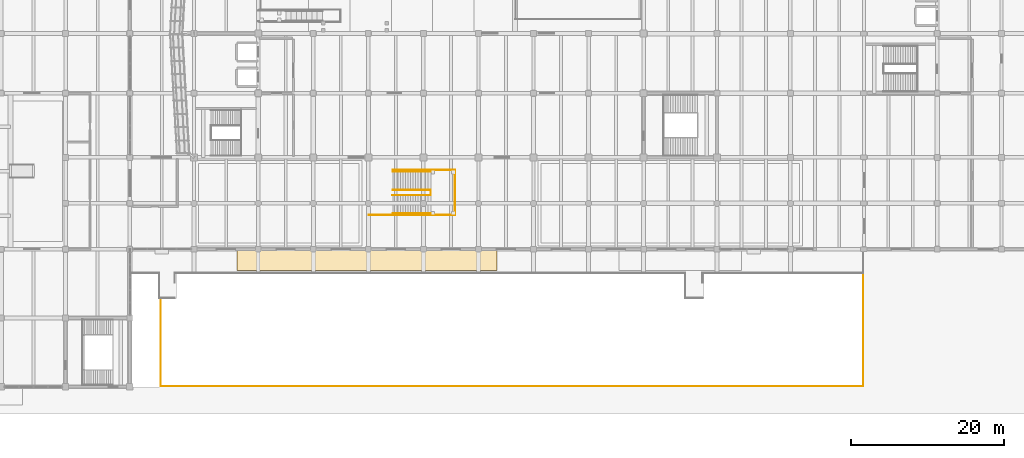
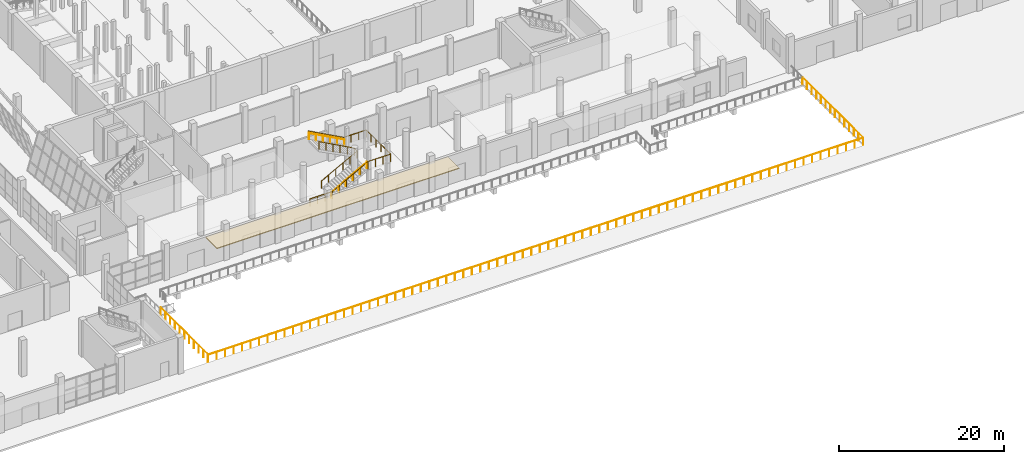
# One storey, part 73 of 78: 5 railings, 1 covering.
"""IFC4 building model written with IfcOpenShell, lengths in metres."""

from ifc_helpers import new_model, si_unit, direction, frame, origin, origin_2d, place, context, subcontext, project, spatial, polyline, circle, outline, extrude, material, layer, layer_set, type_object, element, save


model = new_model("IFC4")

# Units and contexts
model_context = context("Model", 3, precision=1e-05, world=origin(), true_north=direction((0.0, 1.0)))
body_context = subcontext(model_context, "Body", "Model", "MODEL_VIEW")
ifc_project = project(units=[si_unit("LENGTHUNIT", "METRE"), si_unit("AREAUNIT", "SQUARE_METRE"), si_unit("VOLUMEUNIT", "CUBIC_METRE"), si_unit("PLANEANGLEUNIT", "RADIAN"), si_unit("MASSUNIT", "GRAM", prefix="KILO")], contexts=[model_context])

# Site, building, storey
site_placement = place(None, origin())
site = spatial("IfcSite", under=ifc_project, at=site_placement, CompositionType="ELEMENT")
building_placement = place(site_placement, origin())
building = spatial("IfcBuilding", under=site, at=building_placement, Name="Pellamere Symphony Hall", CompositionType="ELEMENT")
storey_placement = place(building_placement, origin())
storey = spatial("IfcBuildingStorey", under=building, at=storey_placement, Name="L00", CompositionType="ELEMENT", Elevation=0.0)

# Railings
ifc_material_1 = material(Name="Laminated Low-Iron Acoustic Balustrade Glass", Category="glass")
railing_type_1 = type_object("IfcRailingType", Name="Balustrade BL-01 H1120 Laminated", PredefinedType="BALUSTRADE", material=ifc_material_1)
railing_1_placement = place(storey_placement, frame((73.25, 22.449951171875, 0.0)))
element("IfcRailing", 1, at=railing_1_placement, inside=storey, type_object=railing_type_1, Name="Feature Stair Outer Glass Balustrade (L00)", PredefinedType="BALUSTRADE", context=body_context, shape_type="SweptSolid", body=[
    extrude(circle(Radius=0.02392578125, at=origin_2d()), frame((0.0, 0.0, 1.09619140625), z_axis=(1.0, 0.0, 0.0), x_axis=(0.0, 1.0, 0.0)), (0.0, 0.0, 1.0), 3.14990234375),
    extrude(circle(Radius=0.02392578125, at=origin_2d()), frame((3.14990234375, 0.0, 1.09619140625), z_axis=(0.878313224678, 0.0, 0.478085640189), x_axis=(0.0, 1.0, 0.0)), (0.0, 0.0, 1.0), 5.6474609375),
    extrude(circle(Radius=0.02392578125, at=origin_2d()), frame((8.110107421875, 0.0, 3.7958984375), z_axis=(1.0, 0.0, 0.0), x_axis=(0.0, 1.0, 0.0)), (0.0, 0.0, 1.0), 3.18994140625),
    extrude(circle(Radius=0.02392578125, at=origin_2d()), frame((11.300048828125, 0.0, 3.7958984375), z_axis=(0.0, 1.0, 0.0), x_axis=(-1.0, 0.0, 0.0)), (0.0, 0.0, 1.0), 5.900146484375),
    extrude(circle(Radius=0.02392578125, at=origin_2d()), frame((11.300048828125, 5.900146484375, 3.7958984375), z_axis=(-1.0, 0.0, 0.0), x_axis=(0.0, -1.0, 0.0)), (0.0, 0.0, 1.0), 3.18994140625),
    extrude(circle(Radius=0.02392578125, at=origin_2d()), frame((8.110107421875, 5.900146484375, 3.7958984375), z_axis=(-0.878313224678, 0.0, 0.478085640189), x_axis=(0.0, -1.0, 0.0)), (0.0, 0.0, 1.0), 5.6474609375),
    extrude(circle(Radius=0.02099609375, at=origin_2d()), origin(), (0.0, 0.0, 1.0), 1.072021484375),
    extrude(circle(Radius=0.02099609375, at=origin_2d()), frame((1.050048828125, 0.0, 0.0)), (0.0, 0.0, 1.0), 1.072021484375),
    extrude(circle(Radius=0.02099609375, at=origin_2d()), frame((2.099853515625, 0.0, 0.0)), (0.0, 0.0, 1.0), 1.072021484375),
    extrude(circle(Radius=0.02099609375, at=origin_2d()), frame((3.14990234375, 0.0, 0.0)), (0.0, 0.0, 1.0), 1.072021484375),
    extrude(circle(Radius=0.02099609375, at=origin_2d()), frame((4.141845703125, 0.0, 0.5400390625)), (0.0, 0.0, 1.0), 1.072021484375),
    extrude(circle(Radius=0.02099609375, at=origin_2d()), frame((5.134033203125, 0.0, 1.080078125)), (0.0, 0.0, 1.0), 1.072021484375),
    extrude(circle(Radius=0.02099609375, at=origin_2d()), frame((6.1259765625, 0.0, 1.619873046875)), (0.0, 0.0, 1.0), 1.072021484375),
    extrude(circle(Radius=0.02099609375, at=origin_2d()), frame((7.1181640625, 0.0, 2.159912109375)), (0.0, 0.0, 1.0), 1.072021484375),
    extrude(circle(Radius=0.02099609375, at=origin_2d()), frame((8.110107421875, 0.0, 2.699951171875)), (0.0, 0.0, 1.0), 1.072021484375),
    extrude(circle(Radius=0.02099609375, at=origin_2d()), frame((9.17333984375, 0.0, 2.699951171875)), (0.0, 0.0, 1.0), 1.072021484375),
    extrude(circle(Radius=0.02099609375, at=origin_2d()), frame((10.23681640625, 0.0, 2.699951171875)), (0.0, 0.0, 1.0), 1.072021484375),
    extrude(circle(Radius=0.02099609375, at=origin_2d()), frame((11.300048828125, 0.0, 2.699951171875)), (0.0, 0.0, 1.0), 1.072021484375),
    extrude(circle(Radius=0.02099609375, at=origin_2d()), frame((11.300048828125, 1.179931640625, 2.699951171875)), (0.0, 0.0, 1.0), 1.072021484375),
    extrude(circle(Radius=0.02099609375, at=origin_2d()), frame((11.300048828125, 2.360107421875, 2.699951171875)), (0.0, 0.0, 1.0), 1.072021484375),
    extrude(circle(Radius=0.02099609375, at=origin_2d()), frame((11.300048828125, 3.5400390625, 2.699951171875)), (0.0, 0.0, 1.0), 1.072021484375),
    extrude(circle(Radius=0.02099609375, at=origin_2d()), frame((11.300048828125, 4.72021484375, 2.699951171875)), (0.0, 0.0, 1.0), 1.072021484375),
    extrude(circle(Radius=0.02099609375, at=origin_2d()), frame((11.300048828125, 5.900146484375, 2.699951171875)), (0.0, 0.0, 1.0), 1.072021484375),
    extrude(circle(Radius=0.02099609375, at=origin_2d()), frame((10.23681640625, 5.900146484375, 2.699951171875)), (0.0, 0.0, 1.0), 1.072021484375),
    extrude(circle(Radius=0.02099609375, at=origin_2d()), frame((9.17333984375, 5.900146484375, 2.699951171875)), (0.0, 0.0, 1.0), 1.072021484375),
    extrude(circle(Radius=0.02099609375, at=origin_2d()), frame((8.110107421875, 5.900146484375, 2.699951171875)), (0.0, 0.0, 1.0), 1.072021484375),
    extrude(circle(Radius=0.02099609375, at=origin_2d()), frame((7.1181640625, 5.900146484375, 3.239990234375)), (0.0, 0.0, 1.0), 1.072021484375),
    extrude(circle(Radius=0.02099609375, at=origin_2d()), frame((6.1259765625, 5.900146484375, 3.780029296875)), (0.0, 0.0, 1.0), 1.072021484375),
    extrude(circle(Radius=0.02099609375, at=origin_2d()), frame((5.134033203125, 5.900146484375, 4.31982421875)), (0.0, 0.0, 1.0), 1.072021484375),
    extrude(circle(Radius=0.02099609375, at=origin_2d()), frame((4.141845703125, 5.900146484375, 4.85986328125)), (0.0, 0.0, 1.0), 1.072021484375),
    extrude(circle(Radius=0.02099609375, at=origin_2d()), frame((3.14990234375, 5.900146484375, 5.39990234375)), (0.0, 0.0, 1.0), 1.072021484375),
])
railing_2_placement = place(storey_placement, frame((76.35009765625, 25.050048828125, 0.0)))
element("IfcRailing", 2, at=railing_2_placement, inside=storey, type_object=railing_type_1, Name="Feature Stair Inner Slot Balustrade (L00)", PredefinedType="BALUSTRADE", context=body_context, shape_type="SweptSolid", body=[
    extrude(circle(Radius=0.02392578125, at=origin_2d()), frame((0.0, 0.0, 1.09619140625), z_axis=(0.880305752134, 0.0, 0.474406769302), x_axis=(0.0, 1.0, 0.0)), (0.0, 0.0, 1.0), 5.691162109375),
    extrude(circle(Radius=0.02392578125, at=origin_2d()), frame((5.010009765625, 0.0, 3.7958984375), z_axis=(0.0, 1.0, 0.0), x_axis=(-1.0, 0.0, 0.0)), (0.0, 0.0, 1.0), 0.699951171875),
    extrude(circle(Radius=0.02392578125, at=origin_2d()), frame((5.010009765625, 0.699951171875, 3.7958984375), z_axis=(-0.878313224678, 0.0, 0.478085640189), x_axis=(0.0, -1.0, 0.0)), (0.0, 0.0, 1.0), 5.6474609375),
    extrude(circle(Radius=0.02099609375, at=origin_2d()), origin(), (0.0, 0.0, 1.0), 1.072021484375),
    extrude(circle(Radius=0.02099609375, at=origin_2d()), frame((1.001953125, 0.0, 0.5400390625)), (0.0, 0.0, 1.0), 1.072021484375),
    extrude(circle(Radius=0.02099609375, at=origin_2d()), frame((2.00390625, 0.0, 1.080078125)), (0.0, 0.0, 1.0), 1.072021484375),
    extrude(circle(Radius=0.02099609375, at=origin_2d()), frame((3.006103515625, 0.0, 1.619873046875)), (0.0, 0.0, 1.0), 1.072021484375),
    extrude(circle(Radius=0.02099609375, at=origin_2d()), frame((4.008056640625, 0.0, 2.159912109375)), (0.0, 0.0, 1.0), 1.072021484375),
    extrude(circle(Radius=0.02099609375, at=origin_2d()), frame((5.010009765625, 0.0, 2.699951171875)), (0.0, 0.0, 1.0), 1.072021484375),
    extrude(circle(Radius=0.02099609375, at=origin_2d()), frame((5.010009765625, 0.699951171875, 2.699951171875)), (0.0, 0.0, 1.0), 1.072021484375),
    extrude(circle(Radius=0.02099609375, at=origin_2d()), frame((4.01806640625, 0.699951171875, 3.239990234375)), (0.0, 0.0, 1.0), 1.072021484375),
    extrude(circle(Radius=0.02099609375, at=origin_2d()), frame((3.02587890625, 0.699951171875, 3.780029296875)), (0.0, 0.0, 1.0), 1.072021484375),
    extrude(circle(Radius=0.02099609375, at=origin_2d()), frame((2.033935546875, 0.699951171875, 4.31982421875)), (0.0, 0.0, 1.0), 1.072021484375),
    extrude(circle(Radius=0.02099609375, at=origin_2d()), frame((1.041748046875, 0.699951171875, 4.85986328125)), (0.0, 0.0, 1.0), 1.072021484375),
    extrude(circle(Radius=0.02099609375, at=origin_2d()), frame((0.0498046875, 0.699951171875, 5.39990234375)), (0.0, 0.0, 1.0), 1.072021484375),
])

# Covering
ifc_material_2 = material(Name="Cantilevered Architectural Bronze Entrance Canopy Soffit", Category="aluminium")
ifc_layer = layer(ifc_material_2, 0.1201171875, Name="Cantilevered Architectural Bronze Entrance Canopy Soffit")
ifc_layer_set = layer_set([ifc_layer], Name="Cantilevered Architectural Bronze Entrance Canopy Soffit")
covering_type = type_object("IfcCoveringType", Name="Envelope Covering CN-01 120mm", PredefinedType="USERDEFINED", material=ifc_layer_set)
covering_placement = place(storey_placement, frame((0.0, 0.0, 4.10009765625)))
element("IfcCovering", 3, at=covering_placement, inside=storey, type_object=covering_type, Name="Entrance Bronze Canopy Soffit 1", ObjectType="CANOPY", PredefinedType="USERDEFINED", context=body_context, shape_type="SweptSolid", body=[
    extrude(outline(polyline([(56.0, 15.199951171875), (90.0, 15.199951171875), (90.0, 18.02001953125), (56.0, 18.02001953125), (56.0, 15.199951171875)])), origin(), (0.0, 0.0, 1.0), 0.119873046875),
])

# Railings
ifc_material_3 = material(Name="Stainless Steel AISI 316", Category="steel")
railing_type_2 = type_object("IfcRailingType", Name="Guardrail GR-01 H1120 Stainless", PredefinedType="GUARDRAIL", material=ifc_material_3)
railing_3_placement = place(storey_placement, frame((46.050048828125, 11.60009765625, 0.0)))
element("IfcRailing", 4, at=railing_3_placement, inside=storey, type_object=railing_type_2, Name="Safety Guardrail GR-FC-S", PredefinedType="GUARDRAIL", context=body_context, shape_type="SweptSolid", body=[
    extrude(circle(Radius=0.02392578125, at=origin_2d()), frame((0.0, 0.0, 1.09619140625), z_axis=(0.0, -1.0, 0.0), x_axis=(1.0, 0.0, 0.0)), (0.0, 0.0, 1.0), 11.52001953125),
    extrude(circle(Radius=0.02392578125, at=origin_2d()), frame((0.0, -11.52001953125, 1.09619140625), z_axis=(1.0, 0.0, 0.0), x_axis=(0.0, 1.0, 0.0)), (0.0, 0.0, 1.0), 91.869873046875),
    extrude(circle(Radius=0.02392578125, at=origin_2d()), frame((91.869873046875, -11.52001953125, 1.09619140625), z_axis=(0.0, 1.0, 0.0), x_axis=(-1.0, 0.0, 0.0)), (0.0, 0.0, 1.0), 14.7998046875),
    extrude(circle(Radius=0.02099609375, at=origin_2d()), origin(), (0.0, 0.0, 1.0), 1.072021484375),
    extrude(circle(Radius=0.02099609375, at=origin_2d()), frame((0.0, -1.152099609375, 0.0)), (0.0, 0.0, 1.0), 1.072021484375),
    extrude(circle(Radius=0.02099609375, at=origin_2d()), frame((0.0, -2.303955078125, 0.0)), (0.0, 0.0, 1.0), 1.072021484375),
    extrude(circle(Radius=0.02099609375, at=origin_2d()), frame((0.0, -3.4560546875, 0.0)), (0.0, 0.0, 1.0), 1.072021484375),
    extrude(circle(Radius=0.02099609375, at=origin_2d()), frame((0.0, -4.60791015625, 0.0)), (0.0, 0.0, 1.0), 1.072021484375),
    extrude(circle(Radius=0.02099609375, at=origin_2d()), frame((0.0, -5.760009765625, 0.0)), (0.0, 0.0, 1.0), 1.072021484375),
    extrude(circle(Radius=0.02099609375, at=origin_2d()), frame((0.0, -6.912109375, 0.0)), (0.0, 0.0, 1.0), 1.072021484375),
    extrude(circle(Radius=0.02099609375, at=origin_2d()), frame((0.0, -8.06396484375, 0.0)), (0.0, 0.0, 1.0), 1.072021484375),
    extrude(circle(Radius=0.02099609375, at=origin_2d()), frame((0.0, -9.216064453125, 0.0)), (0.0, 0.0, 1.0), 1.072021484375),
    extrude(circle(Radius=0.02099609375, at=origin_2d()), frame((0.0, -10.367919921875, 0.0)), (0.0, 0.0, 1.0), 1.072021484375),
    extrude(circle(Radius=0.02099609375, at=origin_2d()), frame((0.0, -11.52001953125, 0.0)), (0.0, 0.0, 1.0), 1.072021484375),
    extrude(circle(Radius=0.02099609375, at=origin_2d()), frame((1.193115234375, -11.52001953125, 0.0)), (0.0, 0.0, 1.0), 1.072021484375),
    extrude(circle(Radius=0.02099609375, at=origin_2d()), frame((2.38623046875, -11.52001953125, 0.0)), (0.0, 0.0, 1.0), 1.072021484375),
    extrude(circle(Radius=0.02099609375, at=origin_2d()), frame((3.579345703125, -11.52001953125, 0.0)), (0.0, 0.0, 1.0), 1.072021484375),
    extrude(circle(Radius=0.02099609375, at=origin_2d()), frame((4.7724609375, -11.52001953125, 0.0)), (0.0, 0.0, 1.0), 1.072021484375),
    extrude(circle(Radius=0.02099609375, at=origin_2d()), frame((5.965576171875, -11.52001953125, 0.0)), (0.0, 0.0, 1.0), 1.072021484375),
    extrude(circle(Radius=0.02099609375, at=origin_2d()), frame((7.15869140625, -11.52001953125, 0.0)), (0.0, 0.0, 1.0), 1.072021484375),
    extrude(circle(Radius=0.02099609375, at=origin_2d()), frame((8.351806640625, -11.52001953125, 0.0)), (0.0, 0.0, 1.0), 1.072021484375),
    extrude(circle(Radius=0.02099609375, at=origin_2d()), frame((9.544921875, -11.52001953125, 0.0)), (0.0, 0.0, 1.0), 1.072021484375),
    extrude(circle(Radius=0.02099609375, at=origin_2d()), frame((10.738037109375, -11.52001953125, 0.0)), (0.0, 0.0, 1.0), 1.072021484375),
    extrude(circle(Radius=0.02099609375, at=origin_2d()), frame((11.93115234375, -11.52001953125, 0.0)), (0.0, 0.0, 1.0), 1.072021484375),
    extrude(circle(Radius=0.02099609375, at=origin_2d()), frame((13.124267578125, -11.52001953125, 0.0)), (0.0, 0.0, 1.0), 1.072021484375),
    extrude(circle(Radius=0.02099609375, at=origin_2d()), frame((14.3173828125, -11.52001953125, 0.0)), (0.0, 0.0, 1.0), 1.072021484375),
    extrude(circle(Radius=0.02099609375, at=origin_2d()), frame((15.510498046875, -11.52001953125, 0.0)), (0.0, 0.0, 1.0), 1.072021484375),
    extrude(circle(Radius=0.02099609375, at=origin_2d()), frame((16.70361328125, -11.52001953125, 0.0)), (0.0, 0.0, 1.0), 1.072021484375),
    extrude(circle(Radius=0.02099609375, at=origin_2d()), frame((17.896728515625, -11.52001953125, 0.0)), (0.0, 0.0, 1.0), 1.072021484375),
    extrude(circle(Radius=0.02099609375, at=origin_2d()), frame((19.08984375, -11.52001953125, 0.0)), (0.0, 0.0, 1.0), 1.072021484375),
    extrude(circle(Radius=0.02099609375, at=origin_2d()), frame((20.282958984375, -11.52001953125, 0.0)), (0.0, 0.0, 1.0), 1.072021484375),
    extrude(circle(Radius=0.02099609375, at=origin_2d()), frame((21.47607421875, -11.52001953125, 0.0)), (0.0, 0.0, 1.0), 1.072021484375),
    extrude(circle(Radius=0.02099609375, at=origin_2d()), frame((22.669189453125, -11.52001953125, 0.0)), (0.0, 0.0, 1.0), 1.072021484375),
    extrude(circle(Radius=0.02099609375, at=origin_2d()), frame((23.8623046875, -11.52001953125, 0.0)), (0.0, 0.0, 1.0), 1.072021484375),
    extrude(circle(Radius=0.02099609375, at=origin_2d()), frame((25.055419921875, -11.52001953125, 0.0)), (0.0, 0.0, 1.0), 1.072021484375),
    extrude(circle(Radius=0.02099609375, at=origin_2d()), frame((26.24853515625, -11.52001953125, 0.0)), (0.0, 0.0, 1.0), 1.072021484375),
    extrude(circle(Radius=0.02099609375, at=origin_2d()), frame((27.441650390625, -11.52001953125, 0.0)), (0.0, 0.0, 1.0), 1.072021484375),
    extrude(circle(Radius=0.02099609375, at=origin_2d()), frame((28.634765625, -11.52001953125, 0.0)), (0.0, 0.0, 1.0), 1.072021484375),
    extrude(circle(Radius=0.02099609375, at=origin_2d()), frame((29.827880859375, -11.52001953125, 0.0)), (0.0, 0.0, 1.0), 1.072021484375),
    extrude(circle(Radius=0.02099609375, at=origin_2d()), frame((31.02099609375, -11.52001953125, 0.0)), (0.0, 0.0, 1.0), 1.072021484375),
    extrude(circle(Radius=0.02099609375, at=origin_2d()), frame((32.214111328125, -11.52001953125, 0.0)), (0.0, 0.0, 1.0), 1.072021484375),
    extrude(circle(Radius=0.02099609375, at=origin_2d()), frame((33.4072265625, -11.52001953125, 0.0)), (0.0, 0.0, 1.0), 1.072021484375),
    extrude(circle(Radius=0.02099609375, at=origin_2d()), frame((34.600341796875, -11.52001953125, 0.0)), (0.0, 0.0, 1.0), 1.072021484375),
    extrude(circle(Radius=0.02099609375, at=origin_2d()), frame((35.79345703125, -11.52001953125, 0.0)), (0.0, 0.0, 1.0), 1.072021484375),
    extrude(circle(Radius=0.02099609375, at=origin_2d()), frame((36.986572265625, -11.52001953125, 0.0)), (0.0, 0.0, 1.0), 1.072021484375),
    extrude(circle(Radius=0.02099609375, at=origin_2d()), frame((38.1796875, -11.52001953125, 0.0)), (0.0, 0.0, 1.0), 1.072021484375),
    extrude(circle(Radius=0.02099609375, at=origin_2d()), frame((39.372802734375, -11.52001953125, 0.0)), (0.0, 0.0, 1.0), 1.072021484375),
    extrude(circle(Radius=0.02099609375, at=origin_2d()), frame((40.56591796875, -11.52001953125, 0.0)), (0.0, 0.0, 1.0), 1.072021484375),
    extrude(circle(Radius=0.02099609375, at=origin_2d()), frame((41.759033203125, -11.52001953125, 0.0)), (0.0, 0.0, 1.0), 1.072021484375),
    extrude(circle(Radius=0.02099609375, at=origin_2d()), frame((42.9521484375, -11.52001953125, 0.0)), (0.0, 0.0, 1.0), 1.072021484375),
    extrude(circle(Radius=0.02099609375, at=origin_2d()), frame((44.145263671875, -11.52001953125, 0.0)), (0.0, 0.0, 1.0), 1.072021484375),
    extrude(circle(Radius=0.02099609375, at=origin_2d()), frame((45.33837890625, -11.52001953125, 0.0)), (0.0, 0.0, 1.0), 1.072021484375),
    extrude(circle(Radius=0.02099609375, at=origin_2d()), frame((46.531494140625, -11.52001953125, 0.0)), (0.0, 0.0, 1.0), 1.072021484375),
    extrude(circle(Radius=0.02099609375, at=origin_2d()), frame((47.724609375, -11.52001953125, 0.0)), (0.0, 0.0, 1.0), 1.072021484375),
    extrude(circle(Radius=0.02099609375, at=origin_2d()), frame((48.917724609375, -11.52001953125, 0.0)), (0.0, 0.0, 1.0), 1.072021484375),
    extrude(circle(Radius=0.02099609375, at=origin_2d()), frame((50.11083984375, -11.52001953125, 0.0)), (0.0, 0.0, 1.0), 1.072021484375),
    extrude(circle(Radius=0.02099609375, at=origin_2d()), frame((51.303955078125, -11.52001953125, 0.0)), (0.0, 0.0, 1.0), 1.072021484375),
    extrude(circle(Radius=0.02099609375, at=origin_2d()), frame((52.4970703125, -11.52001953125, 0.0)), (0.0, 0.0, 1.0), 1.072021484375),
    extrude(circle(Radius=0.02099609375, at=origin_2d()), frame((53.690185546875, -11.52001953125, 0.0)), (0.0, 0.0, 1.0), 1.072021484375),
    extrude(circle(Radius=0.02099609375, at=origin_2d()), frame((54.88330078125, -11.52001953125, 0.0)), (0.0, 0.0, 1.0), 1.072021484375),
    extrude(circle(Radius=0.02099609375, at=origin_2d()), frame((56.076416015625, -11.52001953125, 0.0)), (0.0, 0.0, 1.0), 1.072021484375),
    extrude(circle(Radius=0.02099609375, at=origin_2d()), frame((57.26953125, -11.52001953125, 0.0)), (0.0, 0.0, 1.0), 1.072021484375),
    extrude(circle(Radius=0.02099609375, at=origin_2d()), frame((58.462646484375, -11.52001953125, 0.0)), (0.0, 0.0, 1.0), 1.072021484375),
    extrude(circle(Radius=0.02099609375, at=origin_2d()), frame((59.65576171875, -11.52001953125, 0.0)), (0.0, 0.0, 1.0), 1.072021484375),
    extrude(circle(Radius=0.02099609375, at=origin_2d()), frame((60.848876953125, -11.52001953125, 0.0)), (0.0, 0.0, 1.0), 1.072021484375),
    extrude(circle(Radius=0.02099609375, at=origin_2d()), frame((62.0419921875, -11.52001953125, 0.0)), (0.0, 0.0, 1.0), 1.072021484375),
    extrude(circle(Radius=0.02099609375, at=origin_2d()), frame((63.235107421875, -11.52001953125, 0.0)), (0.0, 0.0, 1.0), 1.072021484375),
    extrude(circle(Radius=0.02099609375, at=origin_2d()), frame((64.42822265625, -11.52001953125, 0.0)), (0.0, 0.0, 1.0), 1.072021484375),
    extrude(circle(Radius=0.02099609375, at=origin_2d()), frame((65.621337890625, -11.52001953125, 0.0)), (0.0, 0.0, 1.0), 1.072021484375),
    extrude(circle(Radius=0.02099609375, at=origin_2d()), frame((66.814453125, -11.52001953125, 0.0)), (0.0, 0.0, 1.0), 1.072021484375),
    extrude(circle(Radius=0.02099609375, at=origin_2d()), frame((68.007568359375, -11.52001953125, 0.0)), (0.0, 0.0, 1.0), 1.072021484375),
    extrude(circle(Radius=0.02099609375, at=origin_2d()), frame((69.20068359375, -11.52001953125, 0.0)), (0.0, 0.0, 1.0), 1.072021484375),
    extrude(circle(Radius=0.02099609375, at=origin_2d()), frame((70.393798828125, -11.52001953125, 0.0)), (0.0, 0.0, 1.0), 1.072021484375),
    extrude(circle(Radius=0.02099609375, at=origin_2d()), frame((71.5869140625, -11.52001953125, 0.0)), (0.0, 0.0, 1.0), 1.072021484375),
    extrude(circle(Radius=0.02099609375, at=origin_2d()), frame((72.780029296875, -11.52001953125, 0.0)), (0.0, 0.0, 1.0), 1.072021484375),
    extrude(circle(Radius=0.02099609375, at=origin_2d()), frame((73.97314453125, -11.52001953125, 0.0)), (0.0, 0.0, 1.0), 1.072021484375),
    extrude(circle(Radius=0.02099609375, at=origin_2d()), frame((75.166259765625, -11.52001953125, 0.0)), (0.0, 0.0, 1.0), 1.072021484375),
    extrude(circle(Radius=0.02099609375, at=origin_2d()), frame((76.359375, -11.52001953125, 0.0)), (0.0, 0.0, 1.0), 1.072021484375),
    extrude(circle(Radius=0.02099609375, at=origin_2d()), frame((77.552490234375, -11.52001953125, 0.0)), (0.0, 0.0, 1.0), 1.072021484375),
    extrude(circle(Radius=0.02099609375, at=origin_2d()), frame((78.74560546875, -11.52001953125, 0.0)), (0.0, 0.0, 1.0), 1.072021484375),
    extrude(circle(Radius=0.02099609375, at=origin_2d()), frame((79.938720703125, -11.52001953125, 0.0)), (0.0, 0.0, 1.0), 1.072021484375),
    extrude(circle(Radius=0.02099609375, at=origin_2d()), frame((81.1318359375, -11.52001953125, 0.0)), (0.0, 0.0, 1.0), 1.072021484375),
    extrude(circle(Radius=0.02099609375, at=origin_2d()), frame((82.324951171875, -11.52001953125, 0.0)), (0.0, 0.0, 1.0), 1.072021484375),
    extrude(circle(Radius=0.02099609375, at=origin_2d()), frame((83.51806640625, -11.52001953125, 0.0)), (0.0, 0.0, 1.0), 1.072021484375),
    extrude(circle(Radius=0.02099609375, at=origin_2d()), frame((84.711181640625, -11.52001953125, 0.0)), (0.0, 0.0, 1.0), 1.072021484375),
    extrude(circle(Radius=0.02099609375, at=origin_2d()), frame((85.904296875, -11.52001953125, 0.0)), (0.0, 0.0, 1.0), 1.072021484375),
    extrude(circle(Radius=0.02099609375, at=origin_2d()), frame((87.097412109375, -11.52001953125, 0.0)), (0.0, 0.0, 1.0), 1.072021484375),
    extrude(circle(Radius=0.02099609375, at=origin_2d()), frame((88.29052734375, -11.52001953125, 0.0)), (0.0, 0.0, 1.0), 1.072021484375),
    extrude(circle(Radius=0.02099609375, at=origin_2d()), frame((89.483642578125, -11.52001953125, 0.0)), (0.0, 0.0, 1.0), 1.072021484375),
    extrude(circle(Radius=0.02099609375, at=origin_2d()), frame((90.6767578125, -11.52001953125, 0.0)), (0.0, 0.0, 1.0), 1.072021484375),
    extrude(circle(Radius=0.02099609375, at=origin_2d()), frame((91.869873046875, -11.52001953125, 0.0)), (0.0, 0.0, 1.0), 1.072021484375),
    extrude(circle(Radius=0.02099609375, at=origin_2d()), frame((91.869873046875, -10.381591796875, 0.0)), (0.0, 0.0, 1.0), 1.072021484375),
    extrude(circle(Radius=0.02099609375, at=origin_2d()), frame((91.869873046875, -9.2431640625, 0.0)), (0.0, 0.0, 1.0), 1.072021484375),
    extrude(circle(Radius=0.02099609375, at=origin_2d()), frame((91.869873046875, -8.104736328125, 0.0)), (0.0, 0.0, 1.0), 1.072021484375),
    extrude(circle(Radius=0.02099609375, at=origin_2d()), frame((91.869873046875, -6.96630859375, 0.0)), (0.0, 0.0, 1.0), 1.072021484375),
    extrude(circle(Radius=0.02099609375, at=origin_2d()), frame((91.869873046875, -5.827880859375, 0.0)), (0.0, 0.0, 1.0), 1.072021484375),
    extrude(circle(Radius=0.02099609375, at=origin_2d()), frame((91.869873046875, -4.689453125, 0.0)), (0.0, 0.0, 1.0), 1.072021484375),
    extrude(circle(Radius=0.02099609375, at=origin_2d()), frame((91.869873046875, -3.55078125, 0.0)), (0.0, 0.0, 1.0), 1.072021484375),
    extrude(circle(Radius=0.02099609375, at=origin_2d()), frame((91.869873046875, -2.412353515625, 0.0)), (0.0, 0.0, 1.0), 1.072021484375),
    extrude(circle(Radius=0.02099609375, at=origin_2d()), frame((91.869873046875, -1.27392578125, 0.0)), (0.0, 0.0, 1.0), 1.072021484375),
    extrude(circle(Radius=0.02099609375, at=origin_2d()), frame((91.869873046875, -0.135498046875, 0.0)), (0.0, 0.0, 1.0), 1.072021484375),
    extrude(circle(Radius=0.02099609375, at=origin_2d()), frame((91.869873046875, 1.0029296875, 0.0)), (0.0, 0.0, 1.0), 1.072021484375),
    extrude(circle(Radius=0.02099609375, at=origin_2d()), frame((91.869873046875, 2.141357421875, 0.0)), (0.0, 0.0, 1.0), 1.072021484375),
    extrude(circle(Radius=0.02099609375, at=origin_2d()), frame((91.869873046875, 3.27978515625, 0.0)), (0.0, 0.0, 1.0), 1.072021484375),
])
ifc_material_4 = material(Name="Solid White Oak Acoustic Handrail with Steel Core", Category="steel")
railing_type_3 = type_object("IfcRailingType", Name="Handrail HR-02 H920 Solid", PredefinedType="HANDRAIL", material=ifc_material_4)
railing_4_placement = place(storey_placement, frame((76.39990234375, 22.64990234375, 0.0)))
element("IfcRailing", 5, at=railing_4_placement, inside=storey, type_object=railing_type_3, Name="Feature Stair Oak Handrail Lower (L00)", PredefinedType="HANDRAIL", context=body_context, shape_type="SweptSolid", body=[
    extrude(circle(Radius=0.02392578125, at=origin_2d()), frame((0.0, 0.0, 0.89599609375), z_axis=(0.878313224678, 0.0, 0.478085640189), x_axis=(0.0, 1.0, 0.0)), (0.0, 0.0, 1.0), 5.6474609375),
    extrude(circle(Radius=0.02099609375, at=origin_2d()), origin(), (0.0, 0.0, 1.0), 0.871826171875),
    extrude(circle(Radius=0.02099609375, at=origin_2d()), frame((0.991943359375, 0.0, 0.5400390625)), (0.0, 0.0, 1.0), 0.871826171875),
    extrude(circle(Radius=0.02099609375, at=origin_2d()), frame((1.984130859375, 0.0, 1.080078125)), (0.0, 0.0, 1.0), 0.871826171875),
    extrude(circle(Radius=0.02099609375, at=origin_2d()), frame((2.97607421875, 0.0, 1.619873046875)), (0.0, 0.0, 1.0), 0.871826171875),
    extrude(circle(Radius=0.02099609375, at=origin_2d()), frame((3.96826171875, 0.0, 2.159912109375)), (0.0, 0.0, 1.0), 0.871826171875),
    extrude(circle(Radius=0.02099609375, at=origin_2d()), frame((4.960205078125, 0.0, 2.699951171875)), (0.0, 0.0, 1.0), 0.871826171875),
])
railing_5_placement = place(storey_placement, frame((81.360107421875, 28.14990234375, 2.699951171875)))
element("IfcRailing", 6, at=railing_5_placement, inside=storey, type_object=railing_type_3, Name="Feature Stair Oak Handrail Upper (L00)", PredefinedType="HANDRAIL", context=body_context, shape_type="SweptSolid", body=[
    extrude(circle(Radius=0.02392578125, at=origin_2d()), frame((0.0, 0.0, 0.89599609375), z_axis=(-0.878313224678, 0.0, 0.478085640189), x_axis=(0.0, -1.0, 0.0)), (0.0, 0.0, 1.0), 5.6474609375),
    extrude(circle(Radius=0.02099609375, at=origin_2d()), origin(), (0.0, 0.0, 1.0), 0.871826171875),
    extrude(circle(Radius=0.02099609375, at=origin_2d()), frame((-0.991943359375, 0.0, 0.5400390625)), (0.0, 0.0, 1.0), 0.871826171875),
    extrude(circle(Radius=0.02099609375, at=origin_2d()), frame((-1.984130859375, 0.0, 1.080078125)), (0.0, 0.0, 1.0), 0.871826171875),
    extrude(circle(Radius=0.02099609375, at=origin_2d()), frame((-2.97607421875, 0.0, 1.619873046875)), (0.0, 0.0, 1.0), 0.871826171875),
    extrude(circle(Radius=0.02099609375, at=origin_2d()), frame((-3.96826171875, 0.0, 2.159912109375)), (0.0, 0.0, 1.0), 0.871826171875),
    extrude(circle(Radius=0.02099609375, at=origin_2d()), frame((-4.960205078125, 0.0, 2.699951171875)), (0.0, 0.0, 1.0), 0.871826171875),
])

save(model, "model.ifc")
